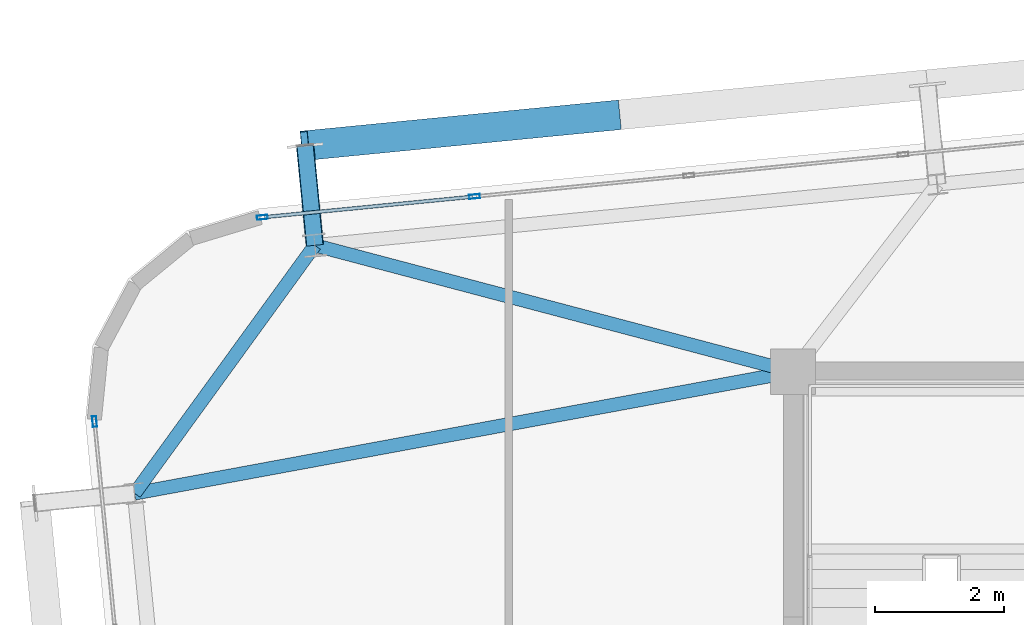
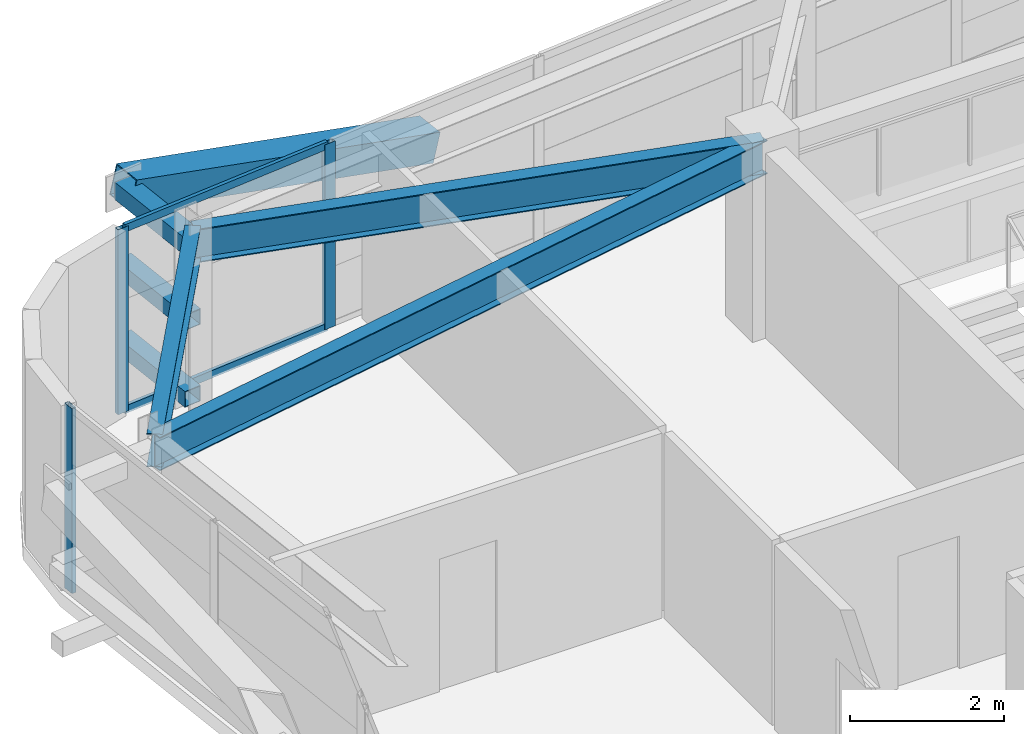
# One storey, part 27 of 54: 9 members, 3 beams, 2 elements without a shape of their own.
"""IFC4 building model written with IfcOpenShell, lengths in metres."""

from ifc_helpers import new_model, si_unit, direction, frame, origin, origin_2d, place, context, subcontext, project, spatial, hollow_rectangle, i_section, extrude, source, transform, mapped, material, layer, layer_set, material_profile, profile_set, type_object, element, aggregate, save


model = new_model("IFC4")

# Units and contexts
model_context = context("Model", 3, precision=1e-05, world=origin(), true_north=direction((0.0, 1.0)))
body_context = subcontext(model_context, "Body", "Model", "MODEL_VIEW")
ifc_project = project(units=[si_unit("LENGTHUNIT", "METRE"), si_unit("AREAUNIT", "SQUARE_METRE"), si_unit("VOLUMEUNIT", "CUBIC_METRE"), si_unit("PLANEANGLEUNIT", "RADIAN"), si_unit("MASSUNIT", "GRAM", prefix="KILO")], contexts=[model_context])

# Site, building, storey
site_placement = place(None, origin())
site = spatial("IfcSite", under=ifc_project, at=site_placement, CompositionType="ELEMENT")
building_placement = place(site_placement, origin())
building = spatial("IfcBuilding", under=site, at=building_placement, Name="Taldren Reach Tower", CompositionType="ELEMENT")
storey_placement = place(building_placement, frame((0.0, 0.0, 102.89990234375)))
storey = spatial("IfcBuildingStorey", under=building, at=storey_placement, Name="L31", CompositionType="ELEMENT", Elevation=102.89990234375)

# Beams
ifc_material_1 = material(Name="Steel Gr 350 (350PLUS)", Category="steel")
ifc_material_profile_1 = material_profile(ifc_material_1, i_section(OverallWidth=0.208984375, OverallDepth=0.528076171875, WebThickness=0.009521484375, FlangeThickness=0.01318359375, at=origin_2d()), Name="530UB82.0")
ifc_profile_set_1 = profile_set([ifc_material_profile_1], Name="Steel Gr 350 (350PLUS)")
beam_type_1 = type_object("IfcBeamType", Name="SP-UB530B", PredefinedType="SPANDREL", material=ifc_profile_set_1)
shared_shape_1 = source(origin(), body_context, "Body", "SweptSolid", [
    extrude(i_section(OverallWidth=0.208984375, OverallDepth=0.528076171875, WebThickness=0.009521484375, FlangeThickness=0.01318359375, at=origin_2d()), origin(), (0.0, 0.0, 1.0), 4.74609375),
])
beam_1_placement = place(storey_placement, frame((11.596923828125, 33.956787109375, 2.666015625), z_axis=(-0.587565912237, -0.809176308833, 0.0), x_axis=(0.809176308833, -0.587565912237, 0.0)))
element("IfcBeam", 1, at=beam_1_placement, inside=storey, type_object=beam_type_1, Name="Perimeter spandrel B2 N1-W3 L31", PredefinedType="SPANDREL", context=body_context, shape_type="MappedRepresentation", body=[
    mapped(shared_shape_1, transform((0.0, 0.0, 0.0), scale=1.0)),
])
ifc_material_profile_2 = material_profile(ifc_material_1, i_section(OverallWidth=0.208984375, OverallDepth=0.532958984375, WebThickness=0.01025390625, FlangeThickness=0.015625, at=origin_2d()), Name="530UB92.4")
ifc_profile_set_2 = profile_set([ifc_material_profile_2], Name="Steel Gr 350 (350PLUS)")
beam_type_2 = type_object("IfcBeamType", Name="BM-UB530A", PredefinedType="BEAM", material=ifc_profile_set_2)
shared_shape_2 = source(origin(), body_context, "Body", "SweptSolid", [
    extrude(i_section(OverallWidth=0.208984375, OverallDepth=0.532958984375, WebThickness=0.01025390625, FlangeThickness=0.015625, at=origin_2d()), origin(), (0.0, 0.0, 1.0), 7.6572265625),
])
beam_2_placement = place(storey_placement, frame((19.0, 32.0, 2.66357421875), z_axis=(-0.966797258245, 0.255544636904, 0.0), x_axis=(-0.255544636904, -0.966797258245, 0.0)))
element("IfcBeam", 2, at=beam_2_placement, inside=storey, type_object=beam_type_2, Name="Primary floor girder B2-N1 L31", PredefinedType="BEAM", context=body_context, shape_type="MappedRepresentation", body=[
    mapped(shared_shape_2, transform((0.0, 0.0, 0.0), scale=1.0)),
])
shared_shape_3 = source(origin(), body_context, "Body", "SweptSolid", [
    extrude(i_section(OverallWidth=0.208984375, OverallDepth=0.532958984375, WebThickness=0.01025390625, FlangeThickness=0.015625, at=origin_2d()), origin(), (0.0, 0.0, 1.0), 10.3642578125),
])
beam_3_placement = place(storey_placement, frame((19.0, 32.0, 2.66357421875), z_axis=(-0.983347548213, -0.181734970283, 0.0), x_axis=(0.181734970283, -0.983347548213, 0.0)))
element("IfcBeam", 3, at=beam_3_placement, inside=storey, type_object=beam_type_2, Name="Primary floor girder B2-W3 L31", PredefinedType="BEAM", context=body_context, shape_type="MappedRepresentation", body=[
    mapped(shared_shape_3, transform((0.0, 0.0, 0.0), scale=1.0)),
])

# Members
ifc_material_2 = material(Name="Steel Gr 450 (C450L0)", Category="steel")
ifc_material_profile_3 = material_profile(ifc_material_2, hollow_rectangle(XDim=0.27490234375, YDim=0.27490234375, WallThickness=0.00927734375, at=origin_2d()), Name="275x275x9.3SHS")
ifc_profile_set_3 = profile_set([ifc_material_profile_3], Name="Steel Gr 450 (C450L0)")
member_type_1 = type_object("IfcMemberType", Name="MB-TIE273", PredefinedType="STRUT", material=ifc_profile_set_3)
shared_shape_4 = source(origin(), body_context, "Body", "SweptSolid", [
    extrude(hollow_rectangle(XDim=0.27490234375, YDim=0.27490234375, WallThickness=0.00927734375, at=origin_2d()), origin(), (0.0, 0.0, 1.0), 1.550048828125),
])
member_1_placement = place(storey_placement, frame((11.596923828125, 33.956787109375, 2.650146484375), z_axis=(-0.097647892962, 0.9952210252, 0.0), x_axis=(-0.9952210252, -0.097647892962, 0.0)))
element("IfcMember", 4, at=member_1_placement, inside=storey, type_object=member_type_1, Name="Exoskeleton diaphragm tie strut B2-N1 L31", PredefinedType="STRUT", context=body_context, shape_type="MappedRepresentation", body=[
    mapped(shared_shape_4, transform((0.0, 0.0, 0.0), scale=1.0)),
])
ifc_material_profile_4 = material_profile(ifc_material_2, hollow_rectangle(XDim=0.4599609375, YDim=0.4599609375, WallThickness=0.01611328125, at=origin_2d()), Name="460x460x16.0SHS")
ifc_profile_set_4 = profile_set([ifc_material_profile_4], Name="Steel Gr 450 (C450L0)")
member_type_2 = type_object("IfcMemberType", Name="MB-EXO457", PredefinedType="BRACE", material=ifc_profile_set_4)
shared_shape_5 = source(origin(), body_context, "Body", "SweptSolid", [
    extrude(hollow_rectangle(XDim=0.4599609375, YDim=0.4599609375, WallThickness=0.01611328125, at=origin_2d()), origin(), (0.0, 0.0, 1.0), 4.990234375),
])
member_2_placement = place(storey_placement, frame((16.262451171875, 35.9716796875, 1.43505859375), z_axis=(-0.965275526283, -0.094619506732, 0.243496010862), x_axis=(0.097555749586, -0.995230061706, 0.0)))
element("IfcMember", 5, at=member_2_placement, inside=storey, type_object=member_type_2, Name="Exoskeleton Diagrid Brace B2-N1 L31", PredefinedType="BRACE", context=body_context, shape_type="MappedRepresentation", body=[
    mapped(shared_shape_5, transform((0.0, 0.0, 0.0), scale=1.0)),
])
ifc_material_3 = material(Name="Steel Gr 350 (C350L0)", Category="steel")
ifc_material_profile_5 = material_profile(ifc_material_3, hollow_rectangle(XDim=0.25, YDim=0.25, WallThickness=0.010009765625, at=origin_2d()), Name="250x250x10.0SHS")
ifc_profile_set_5 = profile_set([ifc_material_profile_5], Name="Steel Gr 350 (C350L0)")
member_type_3 = type_object("IfcMemberType", Name="MB-POST250", PredefinedType="POST", material=ifc_profile_set_5)
shared_shape_6 = source(origin(), body_context, "Body", "SweptSolid", [
    extrude(hollow_rectangle(XDim=0.25, YDim=0.25, WallThickness=0.010009765625, at=origin_2d()), origin(), (0.0, 0.0, 1.0), 1.550048828125),
])
for number, where, z_axis, x_axis, name in (
    (6, (11.596923828125, 33.956787109375, 0.22021484375), (-0.097647892962, 0.9952210252, 0.0), (-0.9952210252, -0.097647892962, 0.0), "Exoskeleton base diaphragm tie strut B2-N1 L31"),
    (7, (11.596923828125, 33.956787109375, 1.43505859375), (-0.097647892962, 0.9952210252, 0.0), (-0.9952210252, -0.097647892962, 0.0), "Exoskeleton mid-tier diaphragm tie B2-N1 L31"),
):
    element("IfcMember", number, at=place(storey_placement, frame(where, z_axis=z_axis, x_axis=x_axis)), inside=storey, type_object=member_type_3, Name=name, PredefinedType="POST", context=body_context, shape_type="MappedRepresentation", body=[
        mapped(shared_shape_6, transform((0.0, 0.0, 0.0), scale=1.0)),
    ])

# Curtain wall, members
ifc_material_4 = material(Name="Aluminium and Low-E Glass Unitised System", Category="aluminium")
ifc_layer = layer(ifc_material_4, 0.159912109375)
ifc_layer_set = layer_set([ifc_layer], Name="Aluminium and Low-E Glass Unitised System")
curtain_wall_type = type_object("IfcCurtainWallType", Name="CW-SYS-3", PredefinedType="NOTDEFINED", material=ifc_layer_set)
curtain_wall_1_placement = place(storey_placement, origin())
curtain_wall_1 = element("IfcCurtainWall", 8, at=curtain_wall_1_placement, inside=storey, type_object=curtain_wall_type, Name="Unitised curtain wall CW-L31-N", PredefinedType="NOTDEFINED")
ifc_material_5 = material(Name="Anodised Aluminium 6063-T6", Category="aluminium")
ifc_material_profile_6 = material_profile(ifc_material_5, hollow_rectangle(XDim=0.06494140625, YDim=0.1650390625, WallThickness=0.00390625, at=origin_2d()), Name="ALU-165x65x4RHS")
ifc_profile_set_6 = profile_set([ifc_material_profile_6], Name="Anodised Aluminium 6063-T6")
member_type_4 = type_object("IfcMemberType", Name="CW-MUL-165", PredefinedType="MULLION", material=ifc_profile_set_6)
shared_shape_7 = source(origin(), body_context, "Body", "SweptSolid", [
    extrude(hollow_rectangle(XDim=0.06494140625, YDim=0.1650390625, WallThickness=0.00390625, at=origin_2d()), origin(), (0.0, 0.0, 1.0), 2.93017578125),
])
member_3_placement = place(storey_placement, frame((14.068359375, 34.711669921875, 0.0), z_axis=(0.0, 0.0, 1.0), x_axis=(0.097582999046, -0.995227390247, 0.0)))
member_3 = element("IfcMember", 9, at=member_3_placement, type_object=member_type_4, Name="CW-3 mullion 15", PredefinedType="MULLION", context=body_context, shape_type="MappedRepresentation", body=[
    mapped(shared_shape_7, transform((0.0, 0.0, 0.0), scale=1.0)),
])
member_4_placement = place(storey_placement, frame((10.783203125, 34.3896484375, 0.0), z_axis=(0.0, 0.0, 1.0), x_axis=(0.097582999046, -0.995227390247, 0.0)))
member_4 = element("IfcMember", 10, at=member_4_placement, type_object=member_type_4, Name="CW-3 mullion 16", PredefinedType="MULLION", context=body_context, shape_type="MappedRepresentation", body=[
    mapped(shared_shape_7, transform((0.0, 0.0, 0.0), scale=1.0)),
])

# Curtain wall, member
curtain_wall_2_placement = place(storey_placement, origin())
curtain_wall_2 = element("IfcCurtainWall", 11, at=curtain_wall_2_placement, inside=storey, type_object=curtain_wall_type, Name="Unitised curtain wall CW-L31-W", PredefinedType="NOTDEFINED")
member_5_placement = place(storey_placement, frame((8.186767578125, 31.228515625, 0.0), z_axis=(0.0, 0.0, 1.0), x_axis=(0.99522741555, 0.09758274098, 0.0)))
member_5 = element("IfcMember", 12, at=member_5_placement, type_object=member_type_4, Name="CW-3 mullion 1", PredefinedType="MULLION", context=body_context, shape_type="MappedRepresentation", body=[
    mapped(shared_shape_7, transform((0.0, 0.0, 0.0), scale=1.0)),
])
aggregate(curtain_wall_2, [member_5])

# Member
ifc_material_profile_7 = material_profile(ifc_material_5, hollow_rectangle(XDim=0.054931640625, YDim=0.1201171875, WallThickness=0.0029296875, at=origin_2d()), Name="ALU-120x55x3RHS")
ifc_profile_set_7 = profile_set([ifc_material_profile_7], Name="Anodised Aluminium 6063-T6")
member_type_5 = type_object("IfcMemberType", Name="CW-TRN-135", PredefinedType="USERDEFINED", material=ifc_profile_set_7)
shared_shape_8 = source(origin(), body_context, "Body", "SweptSolid", [
    extrude(hollow_rectangle(XDim=0.054931640625, YDim=0.1201171875, WallThickness=0.0029296875, at=origin_2d()), origin(), (0.0, 0.0, 1.0), 3.235595703125),
])
member_6_placement = place(storey_placement, frame((14.035888671875, 34.70849609375, 0.027587890625), z_axis=(-0.995229530729, -0.09756116628, 0.0), x_axis=(0.09756116628, -0.995229530729, 0.0)))
member_6 = element("IfcMember", 13, at=member_6_placement, type_object=member_type_5, Name="CW-3 transom 15.1", ObjectType="TRANSOM", PredefinedType="USERDEFINED", context=body_context, shape_type="MappedRepresentation", body=[
    mapped(shared_shape_8, transform((0.0, 0.0, 0.0), scale=1.0)),
])

member_7_placement = place(storey_placement, frame((14.035888671875, 34.70849609375, 2.902587890625), z_axis=(-0.995229530729, -0.09756116628, 0.0), x_axis=(0.09756116628, -0.995229530729, 0.0)))
member_7 = element("IfcMember", 14, at=member_7_placement, type_object=member_type_5, Name="CW-3 transom 15.2", ObjectType="TRANSOM", PredefinedType="USERDEFINED", context=body_context, shape_type="MappedRepresentation", body=[
    mapped(shared_shape_8, transform((0.0, 0.0, 0.0), scale=1.0)),
])

aggregate(curtain_wall_1, [member_3, member_4, member_6, member_7])

save(model, "model.ifc")
